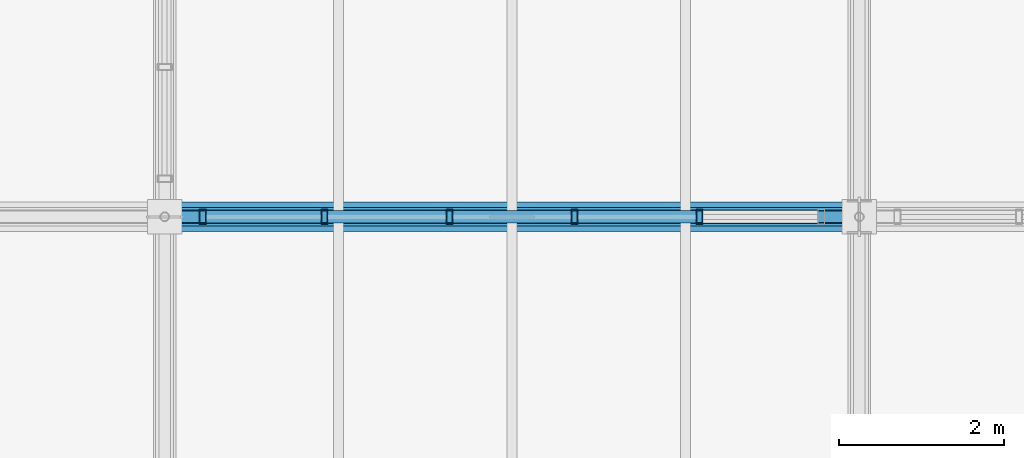
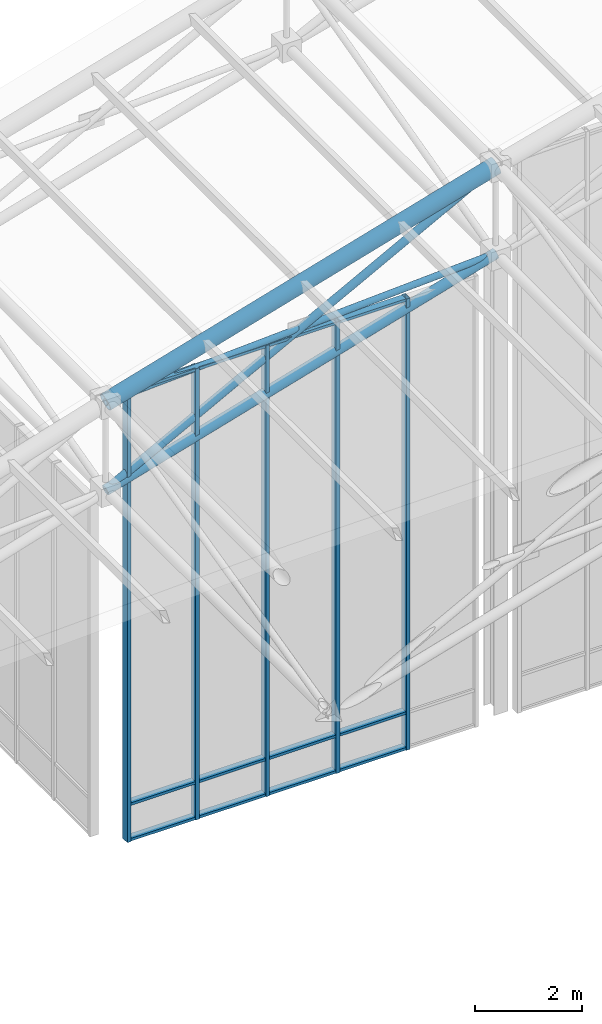
# One storey, part 67 of 144: 22 members, 1 element without a shape of its own.
"""IFC4 building model written with IfcOpenShell, lengths in metres."""

from ifc_helpers import new_model, si_unit, direction, frame, origin, origin_2d, place, context, subcontext, project, spatial, hollow_rectangle, hollow_circle, extrude, material, layer, layer_set, material_profile, profile_set, type_object, element, aggregate, save


model = new_model("IFC4")

# Units and contexts
model_context = context("Model", 3, precision=1e-05, world=origin(), true_north=direction((0.0, 1.0)))
body_context = subcontext(model_context, "Body", "Model", "MODEL_VIEW")
ifc_project = project(units=[si_unit("LENGTHUNIT", "METRE"), si_unit("AREAUNIT", "SQUARE_METRE"), si_unit("VOLUMEUNIT", "CUBIC_METRE"), si_unit("PLANEANGLEUNIT", "RADIAN"), si_unit("MASSUNIT", "GRAM", prefix="KILO")], contexts=[model_context])

# Site, building, storey
site_placement = place(None, origin())
site = spatial("IfcSite", under=ifc_project, at=site_placement, CompositionType="ELEMENT")
building_placement = place(site_placement, origin())
building = spatial("IfcBuilding", under=site, at=building_placement, Name="Zayran Congress Hotel", CompositionType="ELEMENT")
storey_placement = place(building_placement, frame((0.0, 0.0, 19.199951171875)))
storey = spatial("IfcBuildingStorey", under=building, at=storey_placement, Name="L04", CompositionType="ELEMENT", Elevation=19.199951171875)

# Members
ifc_material_1 = material(Name="Steel S355", Category="steel")
ifc_material_profile_1 = material_profile(ifc_material_1, hollow_circle(Radius=0.177734375, WallThickness=0.01611328125, at=origin_2d()), Name="CHS 355.6x16")
ifc_profile_set_1 = profile_set([ifc_material_profile_1], Name="Steel S355")
member_type_1 = type_object("IfcMemberType", Name="TP-SF-TC1", PredefinedType="CHORD", material=ifc_profile_set_1)
member_1_placement = place(storey_placement, frame((33.60009765625, 109.60009765625, 9.902099609375), z_axis=(0.960000625005, 0.0, 0.279997857116), x_axis=(0.0, 1.0, 0.0)))
element("IfcMember", 1, at=member_1_placement, inside=storey, type_object=member_type_1, Name="Space Frame Top Chord X 206", PredefinedType="CHORD", context=body_context, shape_type="SweptSolid", body=[
    extrude(hollow_circle(Radius=0.177734375, WallThickness=0.01611328125, at=origin_2d()), origin(), (0.0, 0.0, 1.0), 8.75),
])
ifc_material_profile_2 = material_profile(ifc_material_1, hollow_circle(Radius=0.109619140625, WallThickness=0.010009765625, at=origin_2d()), Name="CHS 219.1x10")
ifc_profile_set_2 = profile_set([ifc_material_profile_2], Name="Steel S355")
member_type_2 = type_object("IfcMemberType", Name="TP-SF-BC1", PredefinedType="CHORD", material=ifc_profile_set_2)
member_2_placement = place(storey_placement, frame((33.60009765625, 109.60009765625, 7.900146484375), z_axis=(0.960000625005, 0.0, 0.279997857116), x_axis=(0.0, 1.0, 0.0)))
element("IfcMember", 2, at=member_2_placement, inside=storey, type_object=member_type_2, Name="Space Frame Bottom Chord X 207", PredefinedType="CHORD", context=body_context, shape_type="SweptSolid", body=[
    extrude(hollow_circle(Radius=0.109619140625, WallThickness=0.010009765625, at=origin_2d()), origin(), (0.0, 0.0, 1.0), 8.75),
])
ifc_material_profile_3 = material_profile(ifc_material_1, hollow_circle(Radius=0.084228515625, WallThickness=0.008056640625, at=origin_2d()), Name="CHS 168.3x8")
ifc_profile_set_3 = profile_set([ifc_material_profile_3], Name="Steel S355")
member_type_3 = type_object("IfcMemberType", Name="TP-SF-DG1", PredefinedType="BRACE", material=ifc_profile_set_3)
member_3_placement = place(storey_placement, frame((33.60009765625, 109.60009765625, 7.900146484375), z_axis=(0.883574812642, 0.0, 0.46829002815), x_axis=(0.0, 1.0, 0.0)))
element("IfcMember", 3, at=member_3_placement, inside=storey, type_object=member_type_3, Name="Space Frame Web Diagonal X 208", PredefinedType="BRACE", context=body_context, shape_type="SweptSolid", body=[
    extrude(hollow_circle(Radius=0.084228515625, WallThickness=0.008056640625, at=origin_2d()), origin(), (0.0, 0.0, 1.0), 9.5068359375),
])
ifc_material_profile_4 = material_profile(ifc_material_1, hollow_circle(Radius=0.06982421875, WallThickness=0.00634765625, at=origin_2d()), Name="CHS 139.7x6.3")
ifc_profile_set_4 = profile_set([ifc_material_profile_4], Name="Steel S355")
member_type_4 = type_object("IfcMemberType", Name="TP-SF-DG2", PredefinedType="BRACE", material=ifc_profile_set_4)
member_4_placement = place(storey_placement, frame((33.60009765625, 109.60009765625, 9.902099609375), z_axis=(0.998581382954, 0.0, 0.053246799138), x_axis=(0.0, 1.0, 0.0)))
element("IfcMember", 4, at=member_4_placement, inside=storey, type_object=member_type_4, Name="Space Frame Counter Diagonal X Upper 209", PredefinedType="BRACE", context=body_context, shape_type="SweptSolid", body=[
    extrude(hollow_circle(Radius=0.06982421875, WallThickness=0.00634765625, at=origin_2d()), origin(), (0.0, 0.0, 1.0), 4.190673828125),
])
member_5_placement = place(storey_placement, frame((37.81494140625, 109.60009765625, 10.126953125), z_axis=(0.99858154811, 0.0, 0.053243701725), x_axis=(0.0, 1.0, 0.0)))
element("IfcMember", 5, at=member_5_placement, inside=storey, type_object=member_type_4, Name="Space Frame Counter Diagonal X Lower 33", PredefinedType="BRACE", context=body_context, shape_type="SweptSolid", body=[
    extrude(hollow_circle(Radius=0.06982421875, WallThickness=0.00634765625, at=origin_2d()), origin(), (0.0, 0.0, 1.0), 4.19091796875),
])

# Curtain wall, members
ifc_material_2 = material(Name="Anodised aluminium and low-E insulated glass", Category="aluminium")
ifc_layer = layer(ifc_material_2, 0.179931640625)
ifc_layer_set = layer_set([ifc_layer], Name="Anodised aluminium and low-E insulated glass")
curtain_wall_type = type_object("IfcCurtainWallType", Name="CW-V1CL-L04-CW-21-7560-10270", PredefinedType="USERDEFINED", material=ifc_layer_set)
curtain_wall_placement = place(storey_placement, origin())
curtain_wall = element("IfcCurtainWall", 6, at=curtain_wall_placement, inside=storey, type_object=curtain_wall_type, Name="CW-V1CLN-3", ObjectType="CURTAIN WALL", PredefinedType="USERDEFINED")
ifc_material_3 = material(Name="Anodised aluminium framing", Category="aluminium")
ifc_material_profile_5 = material_profile(ifc_material_3, hollow_rectangle(XDim=0.080078125, YDim=0.179931640625, WallThickness=0.0048828125, at=origin_2d()), Name="RHS 180x80x5")
ifc_profile_set_5 = profile_set([ifc_material_profile_5], Name="Anodised aluminium framing")
member_type_5 = type_object("IfcMemberType", Name="TP-CWM-01", PredefinedType="MULLION", material=ifc_profile_set_5)
member_6_placement = place(storey_placement, frame((40.068115234375, 109.60009765625, -0.219970703125), z_axis=(0.0, 0.0, 1.0), x_axis=(1.0, 0.0, 0.0)))
member_6 = element("IfcMember", 7, at=member_6_placement, type_object=member_type_5, Name="CW-V1CLN-3-M01", PredefinedType="MULLION", context=body_context, shape_type="SweptSolid", body=[
    extrude(hollow_rectangle(XDim=0.080078125, YDim=0.179931640625, WallThickness=0.0048828125, at=origin_2d()), origin(), (0.0, 0.0, 1.0), 10.27001953125),
])
member_7_placement = place(storey_placement, frame((38.555908203125, 109.60009765625, -0.219970703125), z_axis=(0.0, 0.0, 1.0), x_axis=(1.0, 0.0, 0.0)))
member_7 = element("IfcMember", 8, at=member_7_placement, type_object=member_type_5, Name="CW-V1CLN-3-M02", PredefinedType="MULLION", context=body_context, shape_type="SweptSolid", body=[
    extrude(hollow_rectangle(XDim=0.080078125, YDim=0.179931640625, WallThickness=0.0048828125, at=origin_2d()), origin(), (0.0, 0.0, 1.0), 10.27001953125),
])
member_8_placement = place(storey_placement, frame((37.0439453125, 109.60009765625, -0.219970703125), z_axis=(0.0, 0.0, 1.0), x_axis=(1.0, 0.0, 0.0)))
member_8 = element("IfcMember", 9, at=member_8_placement, type_object=member_type_5, Name="CW-V1CLN-3-M03", PredefinedType="MULLION", context=body_context, shape_type="SweptSolid", body=[
    extrude(hollow_rectangle(XDim=0.080078125, YDim=0.179931640625, WallThickness=0.0048828125, at=origin_2d()), origin(), (0.0, 0.0, 1.0), 10.27001953125),
])
member_9_placement = place(storey_placement, frame((35.531982421875, 109.60009765625, -0.219970703125), z_axis=(0.0, 0.0, 1.0), x_axis=(1.0, 0.0, 0.0)))
member_9 = element("IfcMember", 10, at=member_9_placement, type_object=member_type_5, Name="CW-V1CLN-3-M04", PredefinedType="MULLION", context=body_context, shape_type="SweptSolid", body=[
    extrude(hollow_rectangle(XDim=0.080078125, YDim=0.179931640625, WallThickness=0.0048828125, at=origin_2d()), origin(), (0.0, 0.0, 1.0), 10.27001953125),
])
member_10_placement = place(storey_placement, frame((34.06005859375, 109.60009765625, -0.219970703125), z_axis=(0.0, 0.0, 1.0), x_axis=(1.0, 0.0, 0.0)))
member_10 = element("IfcMember", 11, at=member_10_placement, type_object=member_type_5, Name="CW-V1CLN-3-M05", PredefinedType="MULLION", context=body_context, shape_type="SweptSolid", body=[
    extrude(hollow_rectangle(XDim=0.080078125, YDim=0.179931640625, WallThickness=0.0048828125, at=origin_2d()), origin(), (0.0, 0.0, 1.0), 10.27001953125),
])
ifc_material_profile_6 = material_profile(ifc_material_3, hollow_rectangle(XDim=0.06005859375, YDim=0.14990234375, WallThickness=0.00390625, at=origin_2d()), Name="RHS 150x60x4")
ifc_profile_set_6 = profile_set([ifc_material_profile_6], Name="Anodised aluminium framing")
member_type_6 = type_object("IfcMemberType", Name="TP-CWT-01", PredefinedType="USERDEFINED", material=ifc_profile_set_6)
member_11_placement = place(storey_placement, frame((40.028076171875, 109.60009765625, -0.18994140625), z_axis=(-1.0, 0.0, 0.0), x_axis=(0.0, 0.0, 1.0)))
member_11 = element("IfcMember", 12, at=member_11_placement, type_object=member_type_6, Name="CW-V1CLN-3-T01-0", ObjectType="TRANSOM", PredefinedType="USERDEFINED", context=body_context, shape_type="SweptSolid", body=[
    extrude(hollow_rectangle(XDim=0.06005859375, YDim=0.14990234375, WallThickness=0.00390625, at=origin_2d()), origin(), (0.0, 0.0, 1.0), 1.43212890625),
])
member_12_placement = place(storey_placement, frame((40.028076171875, 109.60009765625, 0.6201171875), z_axis=(-1.0, 0.0, 0.0), x_axis=(0.0, 0.0, 1.0)))
member_12 = element("IfcMember", 13, at=member_12_placement, type_object=member_type_6, Name="CW-V1CLN-3-T01-1", ObjectType="TRANSOM", PredefinedType="USERDEFINED", context=body_context, shape_type="SweptSolid", body=[
    extrude(hollow_rectangle(XDim=0.06005859375, YDim=0.14990234375, WallThickness=0.00390625, at=origin_2d()), origin(), (0.0, 0.0, 1.0), 1.43212890625),
])
member_13_placement = place(storey_placement, frame((40.028076171875, 109.60009765625, 10.02001953125), z_axis=(-1.0, 0.0, 0.0), x_axis=(0.0, 0.0, 1.0)))
member_13 = element("IfcMember", 14, at=member_13_placement, type_object=member_type_6, Name="CW-V1CLN-3-T01-2", ObjectType="TRANSOM", PredefinedType="USERDEFINED", context=body_context, shape_type="SweptSolid", body=[
    extrude(hollow_rectangle(XDim=0.06005859375, YDim=0.14990234375, WallThickness=0.00390625, at=origin_2d()), origin(), (0.0, 0.0, 1.0), 1.43212890625),
])
member_14_placement = place(storey_placement, frame((38.51611328125, 109.60009765625, -0.18994140625), z_axis=(-1.0, 0.0, 0.0), x_axis=(0.0, 0.0, 1.0)))
member_14 = element("IfcMember", 15, at=member_14_placement, type_object=member_type_6, Name="CW-V1CLN-3-T02-0", ObjectType="TRANSOM", PredefinedType="USERDEFINED", context=body_context, shape_type="SweptSolid", body=[
    extrude(hollow_rectangle(XDim=0.06005859375, YDim=0.14990234375, WallThickness=0.00390625, at=origin_2d()), origin(), (0.0, 0.0, 1.0), 1.43212890625),
])
member_15_placement = place(storey_placement, frame((38.51611328125, 109.60009765625, 0.6201171875), z_axis=(-1.0, 0.0, 0.0), x_axis=(0.0, 0.0, 1.0)))
member_15 = element("IfcMember", 16, at=member_15_placement, type_object=member_type_6, Name="CW-V1CLN-3-T02-1", ObjectType="TRANSOM", PredefinedType="USERDEFINED", context=body_context, shape_type="SweptSolid", body=[
    extrude(hollow_rectangle(XDim=0.06005859375, YDim=0.14990234375, WallThickness=0.00390625, at=origin_2d()), origin(), (0.0, 0.0, 1.0), 1.43212890625),
])
member_16_placement = place(storey_placement, frame((38.51611328125, 109.60009765625, 10.02001953125), z_axis=(-1.0, 0.0, 0.0), x_axis=(0.0, 0.0, 1.0)))
member_16 = element("IfcMember", 17, at=member_16_placement, type_object=member_type_6, Name="CW-V1CLN-3-T02-2", ObjectType="TRANSOM", PredefinedType="USERDEFINED", context=body_context, shape_type="SweptSolid", body=[
    extrude(hollow_rectangle(XDim=0.06005859375, YDim=0.14990234375, WallThickness=0.00390625, at=origin_2d()), origin(), (0.0, 0.0, 1.0), 1.43212890625),
])
member_17_placement = place(storey_placement, frame((37.00390625, 109.60009765625, -0.18994140625), z_axis=(-1.0, 0.0, 0.0), x_axis=(0.0, 0.0, 1.0)))
member_17 = element("IfcMember", 18, at=member_17_placement, type_object=member_type_6, Name="CW-V1CLN-3-T03-0", ObjectType="TRANSOM", PredefinedType="USERDEFINED", context=body_context, shape_type="SweptSolid", body=[
    extrude(hollow_rectangle(XDim=0.06005859375, YDim=0.14990234375, WallThickness=0.00390625, at=origin_2d()), origin(), (0.0, 0.0, 1.0), 1.431884765625),
])
member_18_placement = place(storey_placement, frame((37.00390625, 109.60009765625, 0.6201171875), z_axis=(-1.0, 0.0, 0.0), x_axis=(0.0, 0.0, 1.0)))
member_18 = element("IfcMember", 19, at=member_18_placement, type_object=member_type_6, Name="CW-V1CLN-3-T03-1", ObjectType="TRANSOM", PredefinedType="USERDEFINED", context=body_context, shape_type="SweptSolid", body=[
    extrude(hollow_rectangle(XDim=0.06005859375, YDim=0.14990234375, WallThickness=0.00390625, at=origin_2d()), origin(), (0.0, 0.0, 1.0), 1.431884765625),
])
member_19_placement = place(storey_placement, frame((37.00390625, 109.60009765625, 10.02001953125), z_axis=(-1.0, 0.0, 0.0), x_axis=(0.0, 0.0, 1.0)))
member_19 = element("IfcMember", 20, at=member_19_placement, type_object=member_type_6, Name="CW-V1CLN-3-T03-2", ObjectType="TRANSOM", PredefinedType="USERDEFINED", context=body_context, shape_type="SweptSolid", body=[
    extrude(hollow_rectangle(XDim=0.06005859375, YDim=0.14990234375, WallThickness=0.00390625, at=origin_2d()), origin(), (0.0, 0.0, 1.0), 1.431884765625),
])
member_20_placement = place(storey_placement, frame((35.491943359375, 109.60009765625, -0.18994140625), z_axis=(-1.0, 0.0, 0.0), x_axis=(0.0, 0.0, 1.0)))
member_20 = element("IfcMember", 21, at=member_20_placement, type_object=member_type_6, Name="CW-V1CLN-3-T04-0", ObjectType="TRANSOM", PredefinedType="USERDEFINED", context=body_context, shape_type="SweptSolid", body=[
    extrude(hollow_rectangle(XDim=0.06005859375, YDim=0.14990234375, WallThickness=0.00390625, at=origin_2d()), origin(), (0.0, 0.0, 1.0), 1.391845703125),
])
member_21_placement = place(storey_placement, frame((35.491943359375, 109.60009765625, 0.6201171875), z_axis=(-1.0, 0.0, 0.0), x_axis=(0.0, 0.0, 1.0)))
member_21 = element("IfcMember", 22, at=member_21_placement, type_object=member_type_6, Name="CW-V1CLN-3-T04-1", ObjectType="TRANSOM", PredefinedType="USERDEFINED", context=body_context, shape_type="SweptSolid", body=[
    extrude(hollow_rectangle(XDim=0.06005859375, YDim=0.14990234375, WallThickness=0.00390625, at=origin_2d()), origin(), (0.0, 0.0, 1.0), 1.391845703125),
])
member_22_placement = place(storey_placement, frame((35.491943359375, 109.60009765625, 10.02001953125), z_axis=(-1.0, 0.0, 0.0), x_axis=(0.0, 0.0, 1.0)))
member_22 = element("IfcMember", 23, at=member_22_placement, type_object=member_type_6, Name="CW-V1CLN-3-T04-2", ObjectType="TRANSOM", PredefinedType="USERDEFINED", context=body_context, shape_type="SweptSolid", body=[
    extrude(hollow_rectangle(XDim=0.06005859375, YDim=0.14990234375, WallThickness=0.00390625, at=origin_2d()), origin(), (0.0, 0.0, 1.0), 1.391845703125),
])
aggregate(curtain_wall, [member_6, member_7, member_8, member_9, member_10, member_11, member_12, member_13, member_14, member_15, member_16, member_17, member_18, member_19, member_20, member_21, member_22])

save(model, "model.ifc")
